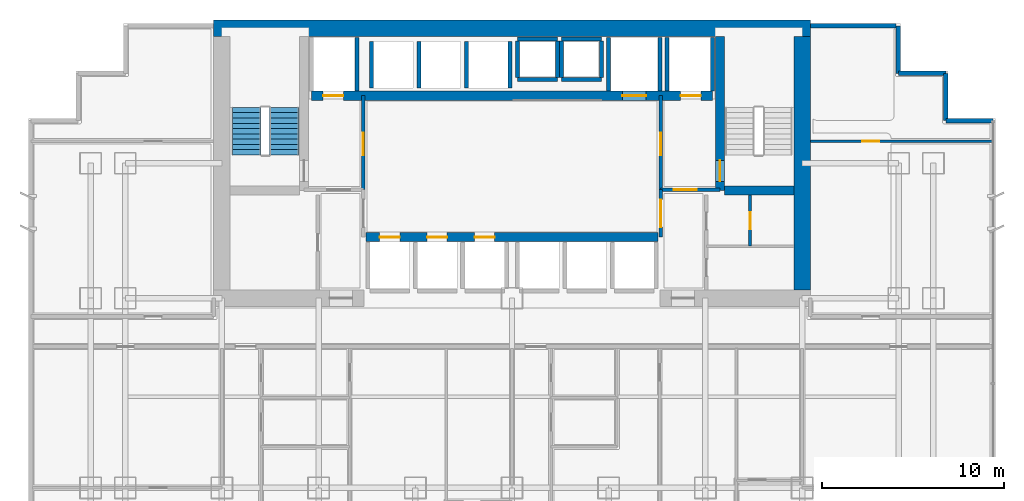
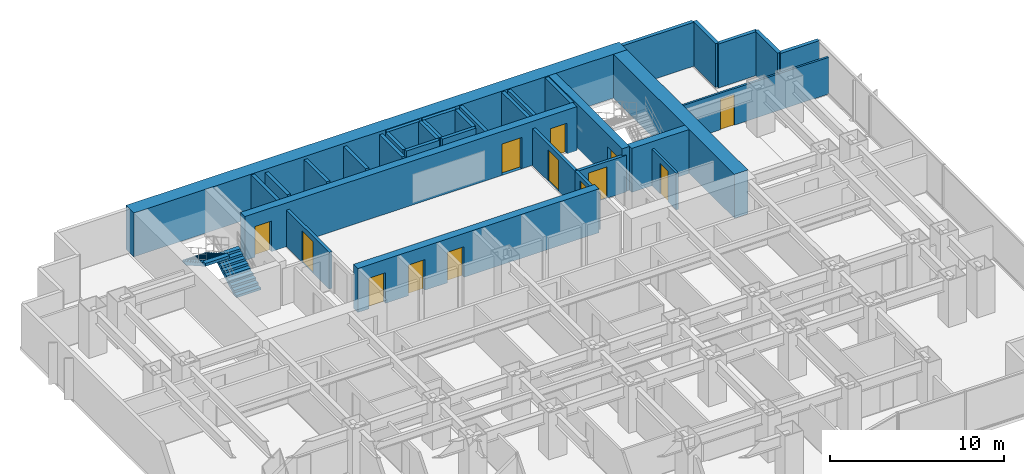
# One storey, part 9 of 12: 34 walls, 13 doors, 2 stair flights, 13 openings, 1 element without a shape of its own.
"""IFC4 building model written with IfcOpenShell, lengths in metres."""

import ifcopenshell
import ifcopenshell.guid

model = None  # the IFC model being written
_history = None  # IfcOwnerHistory: only IFC2X3 demands one
_inside = {}  # id of a spatial element -> (the spatial element, [elements in it])
_under = {}  # id of a project, library or spatial element -> (it, [spatial elements below it])
_declared = {}  # id of a project -> (the project, [libraries it declares])
_typed = {}  # id of a type object -> (the type object, [elements of that type])
_made_of = {}  # id of a material, layer set ... -> (it, [elements and type objects made of it])


def new_model(schema):
    """Start an empty IFC model of exactly this schema.

    Asked for "IFC4X3", IfcOpenShell would pick the latest addendum, in which some entities
    have other attributes; the version numbers below select the first issue.
    IFC2X3 requires an IfcOwnerHistory on every rooted entity: one is made here for all.
    """
    global model, _history
    if schema == "IFC4X3":
        model = ifcopenshell.file(schema_version=(4, 3, 0, 0))
    else:
        model = ifcopenshell.file(schema=schema)
    _inside.clear()
    _under.clear()
    _declared.clear()
    _typed.clear()
    _made_of.clear()
    _history = None
    if model.schema == "IFC2X3":
        org = make("IfcOrganization", Name="unknown")
        user = make(
            "IfcPersonAndOrganization",
            ThePerson=make("IfcPerson", FamilyName="unknown"),
            TheOrganization=org,
        )
        app = make(
            "IfcApplication",
            ApplicationDeveloper=org,
            Version="unknown",
            ApplicationFullName="unknown",
            ApplicationIdentifier="unknown",
        )
        _history = make(
            "IfcOwnerHistory",
            OwningUser=user,
            OwningApplication=app,
            ChangeAction="ADDED",
            CreationDate=0,
        )
    return model


def make(cls, **values):
    """One entity of the class cls with the attributes given. An attribute that is None is left unset."""
    return model.create_entity(
        cls, **{name: value for name, value in values.items() if value is not None}
    )


def rooted(cls, **values):
    """An entity with a GlobalId (a new one), such as an element, a storey or a relation."""
    return make(cls, GlobalId=ifcopenshell.guid.new(), OwnerHistory=_history, **values)


def si_unit(unit_type, name, prefix=None):
    """IfcSIUnit, for example si_unit("LENGTHUNIT", "METRE", prefix="MILLI")."""
    return make("IfcSIUnit", UnitType=unit_type, Prefix=prefix, Name=name)


def assignment(units):
    """IfcUnitAssignment: the units of a project."""
    return None if units is None else make("IfcUnitAssignment", Units=units)


def point(xyz):
    """IfcCartesianPoint."""
    return None if xyz is None else make("IfcCartesianPoint", Coordinates=xyz)


def direction(xyz):
    """IfcDirection."""
    return None if xyz is None else make("IfcDirection", DirectionRatios=xyz)


def frame(location, z_axis=None, x_axis=None):
    """IfcAxis2Placement3D, a coordinate frame: its origin and axes. An axis left out is left unset."""
    return make(
        "IfcAxis2Placement3D",
        Location=point(location),
        Axis=direction(z_axis),
        RefDirection=direction(x_axis),
    )


def frame_2d(location, x_axis=None):
    """IfcAxis2Placement2D, a coordinate frame in the plane: its origin and x axis."""
    return make(
        "IfcAxis2Placement2D", Location=point(location), RefDirection=direction(x_axis)
    )


def origin():
    """The frame at (0, 0, 0) with its axes left unset."""
    return frame((0.0, 0.0, 0.0))


def place(relative_to, where):
    """IfcLocalPlacement: puts the frame where relative to a parent placement (None: the world)."""
    return make(
        "IfcLocalPlacement", PlacementRelTo=relative_to, RelativePlacement=where
    )


def context(
    kind, dimensions, precision=None, world=None, true_north=None, identifier=None
):
    """IfcGeometricRepresentationContext, for example the 3D "Model" context."""
    return make(
        "IfcGeometricRepresentationContext",
        ContextIdentifier=identifier,
        ContextType=kind,
        CoordinateSpaceDimension=dimensions,
        Precision=precision,
        WorldCoordinateSystem=world,
        TrueNorth=true_north,
    )


def subcontext(parent, identifier, kind, view, scale=None):
    """IfcGeometricRepresentationSubContext, for example "Body" below "Model"."""
    return make(
        "IfcGeometricRepresentationSubContext",
        ContextIdentifier=identifier,
        ContextType=kind,
        ParentContext=parent,
        TargetScale=scale,
        TargetView=view,
    )


def project(units=None, contexts=None):
    """IfcProject with its units and contexts."""
    return rooted(
        "IfcProject",
        Name="project",
        RepresentationContexts=contexts,
        UnitsInContext=assignment(units),
    )


def spatial(cls, under=None, at=None, **own):
    """A site, building, storey or space (cls), placed at a placement, below another one or the project."""
    s = rooted(cls, ObjectPlacement=at, **own)
    if under is not None:
        _under.setdefault(under.id(), (under, []))[1].append(s)
    return s


def polyline(points):
    """IfcPolyline through the points."""
    return make("IfcPolyline", Points=[point(p) for p in points])


def profile(cls, at=None, kind="AREA", **sizes):
    """A parametric profile (cls). Its sizes go by their IFC names, for example OverallWidth=200.0."""
    return make(cls, ProfileType=kind, Position=at, **sizes)


def rectangle(**sizes):
    """IfcRectangleProfileDef."""
    return profile("IfcRectangleProfileDef", **sizes)


def outline(outer, holes=None, kind="AREA"):
    """IfcArbitraryClosedProfileDef: a profile drawn as a closed curve; with holes, ...WithVoids."""
    if holes is None:
        return make("IfcArbitraryClosedProfileDef", ProfileType=kind, OuterCurve=outer)
    return make(
        "IfcArbitraryProfileDefWithVoids",
        ProfileType=kind,
        OuterCurve=outer,
        InnerCurves=holes,
    )


def extrude(swept, where, along, depth):
    """IfcExtrudedAreaSolid: the profile swept, set in the frame where, extruded along a direction by depth."""
    return make(
        "IfcExtrudedAreaSolid",
        SweptArea=swept,
        Position=where,
        ExtrudedDirection=direction(along),
        Depth=depth,
    )


def shape(context_of_items, identifier, shape_type, items):
    """IfcShapeRepresentation: the items that make up one representation, for example the "Body"."""
    return make(
        "IfcShapeRepresentation",
        ContextOfItems=context_of_items,
        RepresentationIdentifier=identifier,
        RepresentationType=shape_type,
        Items=items,
    )


def material(Name=None, Category=None):
    """IfcMaterial."""
    return make("IfcMaterial", Name=Name, Category=Category)


def layer(
    of_material, thickness, ventilated=None, Name=None, Category=None, Priority=None
):
    """IfcMaterialLayer: one layer of a wall or slab, of a material (None: an air gap)."""
    return make(
        "IfcMaterialLayer",
        Material=of_material,
        LayerThickness=thickness,
        IsVentilated=ventilated,
        Name=Name,
        Category=Category,
        Priority=Priority,
    )


def layer_set(layers, Name=None):
    """IfcMaterialLayerSet."""
    return make("IfcMaterialLayerSet", MaterialLayers=layers, LayerSetName=Name)


def made_of(thing, what):
    """Note that an element or type object is made of a material, layer set ...; save() writes the relation."""
    if what is not None:
        _made_of.setdefault(what.id(), (what, []))[1].append(thing)
    return thing


def type_object(cls, material=None, **own):
    """A type object (cls), such as IfcWallType, which elements share."""
    return made_of(rooted(cls, **own), material)


def element(
    cls,
    number,
    at=None,
    inside=None,
    cuts=None,
    type_object=None,
    material=None,
    context=None,
    identifier="Body",
    shape_type=None,
    held_by="IfcProductDefinitionShape",
    body=None,
    shapes=None,
    **own,
):
    """One element of the class cls, such as IfcWall. Its Tag is "e" and its number.

    at: its placement. inside: the storey or other place that contains it. cuts: it is an
    opening in that element (IfcRelVoidsElement). A single representation is given by context,
    identifier, shape_type and body (its items); several are given by shapes. held_by: the class
    of the entity that holds the representations. save() writes the other relations.
    """
    e = rooted(cls, Tag="e%d" % number, ObjectPlacement=at, **own)
    if body is not None:
        shapes = [shape(context, identifier, shape_type, body)]
    if shapes is not None:
        e.Representation = make(held_by, Representations=shapes)
    if inside is not None:
        _inside.setdefault(inside.id(), (inside, []))[1].append(e)
    if cuts is not None:
        rooted(
            "IfcRelVoidsElement", RelatingBuildingElement=cuts, RelatedOpeningElement=e
        )
    if type_object is not None:
        _typed.setdefault(type_object.id(), (type_object, []))[1].append(e)
    return made_of(e, material)


def fill(opening, filler):
    """IfcRelFillsElement: the door or window that sits in an opening."""
    return rooted(
        "IfcRelFillsElement",
        RelatingOpeningElement=opening,
        RelatedBuildingElement=filler,
    )


def aggregate(whole, parts):
    """IfcRelAggregates: a whole, such as a stair, and the parts it consists of."""
    return rooted("IfcRelAggregates", RelatingObject=whole, RelatedObjects=parts)


def save(model, path):
    """Write the relations noted so far, then the file.

    IfcRelAggregates (storeys below a building ...), IfcRelContainedInSpatialStructure (elements
    in a storey), IfcRelDefinesByType, IfcRelAssociatesMaterial and IfcRelDeclares: one each for
    every whole, place, type object, material and project.
    """
    for whole, parts in _under.values():
        aggregate(whole, parts)
    for where, things in _inside.values():
        rooted(
            "IfcRelContainedInSpatialStructure",
            RelatedElements=things,
            RelatingStructure=where,
        )
    for kind, things in _typed.values():
        rooted("IfcRelDefinesByType", RelatedObjects=things, RelatingType=kind)
    for what, things in _made_of.values():
        rooted("IfcRelAssociatesMaterial", RelatedObjects=things, RelatingMaterial=what)
    for by, libraries in _declared.values():
        rooted("IfcRelDeclares", RelatingContext=by, RelatedDefinitions=libraries)
    model.write(path)


model = new_model("IFC4")

# Units and contexts
model_context = context("Model", 3, precision=1e-05, world=origin(), true_north=direction((0.0, 1.0)))
body_context = subcontext(model_context, "Body", "Model", "MODEL_VIEW")
ifc_project = project(units=[si_unit("LENGTHUNIT", "METRE"), si_unit("AREAUNIT", "SQUARE_METRE"), si_unit("VOLUMEUNIT", "CUBIC_METRE"), si_unit("PLANEANGLEUNIT", "RADIAN"), si_unit("MASSUNIT", "GRAM", prefix="KILO")], contexts=[model_context])

# Site, building, storey
site_placement = place(None, origin())
site = spatial("IfcSite", under=ifc_project, at=site_placement, CompositionType="ELEMENT")
building_placement = place(site_placement, origin())
building = spatial("IfcBuilding", under=site, at=building_placement, Name="Qianlan Lanfeng Residences", CompositionType="ELEMENT")
storey_placement = place(building_placement, frame((0.0, 0.0, 44.0)))
storey = spatial("IfcBuildingStorey", under=building, at=storey_placement, Name="L11", CompositionType="ELEMENT", Elevation=44.0)

# Wall, opening, door
ifc_material_1 = material(Name="Concrete C70", Category="concrete")
ifc_layer_1 = layer(ifc_material_1, 0.5)
ifc_layer_set_1 = layer_set([ifc_layer_1], Name="Concrete C70")
wall_type_1 = type_object("IfcWallType", Name="CW-RC-500", PredefinedType="SHEAR", material=ifc_layer_set_1)
wall_1_placement = place(storey_placement, frame((37.89990234375, 31.10009765625, 0.0), z_axis=(0.0, 0.0, 1.0), x_axis=(0.0, 1.0, 0.0)))
wall_1 = element("IfcWall", 1, at=wall_1_placement, inside=storey, type_object=wall_type_1, Name="L11 Core Shear Wall ST2W", PredefinedType="SHEAR", context=body_context, shape_type="SweptSolid", body=[
    extrude(rectangle(XDim=8.449951171875, YDim=0.5, at=frame_2d((4.22509765625, 0.0))), origin(), (0.0, 0.0, 1.0), 3.080078125),
])
opening_1_placement = place(wall_1_placement, frame((0.510009765625, 0.0, 0.0)))
opening_1 = element("IfcOpeningElement", 2, at=opening_1_placement, cuts=wall_1, Name="Opening L11-D08", PredefinedType="OPENING", context=body_context, shape_type="SweptSolid", body=[
    extrude(rectangle(XDim=1.14990234375, YDim=2.199951171875, at=frame_2d((0.574951171875, 1.10009765625))), frame((0.0, 0.260009765625, 0.0), z_axis=(0.0, -1.0, 0.0), x_axis=(1.0, 0.0, 0.0)), (0.0, 0.0, 1.0), 0.52001953125),
])
ifc_material_2 = material(Name="Painted Galvanised Steel Fire Door", Category="steel")
door_type_1 = type_object("IfcDoorType", Name="DT-ST1", OperationType="NOTDEFINED", PredefinedType="DOOR", material=ifc_material_2)
door_1_placement = place(opening_1_placement, origin())
door_1 = element("IfcDoor", 3, at=door_1_placement, inside=storey, type_object=door_type_1, Name="L11 Exit Stair ST-2 Door L11-D08 (DT-ST1)", OperationType="SINGLE_SWING_RIGHT", OverallHeight=2.199951171875, OverallWidth=1.14990234375, PredefinedType="DOOR", context=body_context, shape_type="SweptSolid", body=[
    extrude(rectangle(XDim=1.14990234375, YDim=2.199951171875, at=frame_2d((0.574951171875, 1.10009765625))), frame((0.0, 0.02490234375, 0.0), z_axis=(0.0, -1.0, 0.0), x_axis=(1.0, 0.0, 0.0)), (0.0, 0.0, 1.0), 0.050048828125),
])
fill(opening_1, door_1)

# Wall
wall_2_placement = place(storey_placement, frame((38.14990234375, 31.10009765625, 0.0), z_axis=(0.0, 0.0, 1.0), x_axis=(1.0, 0.0, 0.0)))
element("IfcWall", 4, at=wall_2_placement, inside=storey, type_object=wall_type_1, Name="L11 Core Shear Wall ST2S", PredefinedType="SHEAR", context=body_context, shape_type="SweptSolid", body=[
    extrude(rectangle(XDim=3.800048828125, YDim=0.5, at=frame_2d((1.89990234375, 0.0))), origin(), (0.0, 0.0, 1.0), 3.080078125),
])

# Wall, openings, doors
wall_3_placement = place(storey_placement, frame((15.5, 36.300048828125, 0.0), z_axis=(0.0, 0.0, 1.0), x_axis=(1.0, 0.0, 0.0)))
wall_3 = element("IfcWall", 5, at=wall_3_placement, inside=storey, type_object=wall_type_1, Name="L11 Core Shear Wall LBN", PredefinedType="SHEAR", context=body_context, shape_type="SweptSolid", body=[
    extrude(rectangle(XDim=22.0, YDim=0.5, at=frame_2d((11.0, 0.0))), origin(), (0.0, 0.0, 1.0), 3.080078125),
])
opening_2_placement = place(wall_3_placement, frame((0.64990234375, 0.0, 0.0)))
opening_2 = element("IfcOpeningElement", 6, at=opening_2_placement, cuts=wall_3, Name="Opening L11-LD-FFL-1", PredefinedType="OPENING", context=body_context, shape_type="SweptSolid", body=[
    extrude(rectangle(XDim=1.10009765625, YDim=2.14990234375, at=frame_2d((0.550048828125, 1.074951171875))), frame((0.0, 0.260009765625, 0.0), z_axis=(0.0, -1.0, 0.0), x_axis=(1.0, 0.0, 0.0)), (0.0, 0.0, 1.0), 0.52001953125),
])
opening_3_placement = place(wall_3_placement, frame((20.25, 0.0, 0.0)))
opening_3 = element("IfcOpeningElement", 7, at=opening_3_placement, cuts=wall_3, Name="Opening L11-LD-FFL-2", PredefinedType="OPENING", context=body_context, shape_type="SweptSolid", body=[
    extrude(rectangle(XDim=1.10009765625, YDim=2.14990234375, at=frame_2d((0.550048828125, 1.074951171875))), frame((0.0, 0.260009765625, 0.0), z_axis=(0.0, -1.0, 0.0), x_axis=(1.0, 0.0, 0.0)), (0.0, 0.0, 1.0), 0.52001953125),
])
opening_4_placement = place(wall_3_placement, frame((17.050048828125, 0.0, 0.0)))
opening_4 = element("IfcOpeningElement", 8, at=opening_4_placement, cuts=wall_3, Name="Opening L11-LD-SVL-1", PredefinedType="OPENING", context=body_context, shape_type="SweptSolid", body=[
    extrude(rectangle(XDim=1.300048828125, YDim=2.199951171875, at=frame_2d((0.64990234375, 1.10009765625))), frame((0.0, 0.260009765625, 0.0), z_axis=(0.0, -1.0, 0.0), x_axis=(1.0, 0.0, 0.0)), (0.0, 0.0, 1.0), 0.52001953125),
])
ifc_material_3 = material(Name="Brushed Stainless Steel Sliding Lift Door", Category="steel")
door_type_2 = type_object("IfcDoorType", Name="LD-01", OperationType="NOTDEFINED", PredefinedType="DOOR", material=ifc_material_3)
door_2_placement = place(opening_2_placement, frame((1.10009765625, 0.0, 0.0), z_axis=(0.0, 0.0, 1.0), x_axis=(-1.0, 0.0, 0.0)))
door_2 = element("IfcDoor", 9, at=door_2_placement, inside=storey, type_object=door_type_2, Name="L11 Elevator FFL-1 Sliding Landing Door", OperationType="DOUBLE_DOOR_SLIDING", OverallHeight=2.14990234375, OverallWidth=1.10009765625, PredefinedType="DOOR", context=body_context, shape_type="SweptSolid", body=[
    extrude(rectangle(XDim=1.10009765625, YDim=2.14990234375, at=frame_2d((0.550048828125, 1.074951171875))), frame((0.0, 0.02490234375, 0.0), z_axis=(0.0, -1.0, 0.0), x_axis=(1.0, 0.0, 0.0)), (0.0, 0.0, 1.0), 0.050048828125),
])
fill(opening_2, door_2)
door_3_placement = place(opening_3_placement, frame((1.10009765625, 0.0, 0.0), z_axis=(0.0, 0.0, 1.0), x_axis=(-1.0, 0.0, 0.0)))
door_3 = element("IfcDoor", 10, at=door_3_placement, inside=storey, type_object=door_type_2, Name="L11 Elevator FFL-2 Sliding Landing Door", OperationType="DOUBLE_DOOR_SLIDING", OverallHeight=2.14990234375, OverallWidth=1.10009765625, PredefinedType="DOOR", context=body_context, shape_type="SweptSolid", body=[
    extrude(rectangle(XDim=1.10009765625, YDim=2.14990234375, at=frame_2d((0.550048828125, 1.074951171875))), frame((0.0, 0.02490234375, 0.0), z_axis=(0.0, -1.0, 0.0), x_axis=(1.0, 0.0, 0.0)), (0.0, 0.0, 1.0), 0.050048828125),
])
fill(opening_3, door_3)
door_type_3 = type_object("IfcDoorType", Name="LD-02", OperationType="NOTDEFINED", PredefinedType="DOOR", material=ifc_material_3)
door_4_placement = place(opening_4_placement, frame((1.300048828125, 0.0, 0.0), z_axis=(0.0, 0.0, 1.0), x_axis=(-1.0, 0.0, 0.0)))
door_4 = element("IfcDoor", 11, at=door_4_placement, inside=storey, type_object=door_type_3, Name="L11 Elevator SVL-1 Sliding Landing Door", OperationType="DOUBLE_DOOR_SLIDING", OverallHeight=2.199951171875, OverallWidth=1.300048828125, PredefinedType="DOOR", context=body_context, shape_type="SweptSolid", body=[
    extrude(rectangle(XDim=1.300048828125, YDim=2.199951171875, at=frame_2d((0.64990234375, 1.10009765625))), frame((0.0, 0.02490234375, 0.0), z_axis=(0.0, -1.0, 0.0), x_axis=(1.0, 0.0, 0.0)), (0.0, 0.0, 1.0), 0.050048828125),
])
fill(opening_4, door_4)

wall_4_placement = place(storey_placement, frame((18.5, 28.550048828125, 0.0), z_axis=(0.0, 0.0, 1.0), x_axis=(1.0, 0.0, 0.0)))
wall_4 = element("IfcWall", 12, at=wall_4_placement, inside=storey, type_object=wall_type_1, Name="L11 Core Shear Wall LBS", PredefinedType="SHEAR", context=body_context, shape_type="SweptSolid", body=[
    extrude(rectangle(XDim=16.0, YDim=0.5, at=frame_2d((8.0, 0.0))), origin(), (0.0, 0.0, 1.0), 3.080078125),
])
opening_5_placement = place(wall_4_placement, frame((0.75, 0.0, 0.0)))
opening_5 = element("IfcOpeningElement", 13, at=opening_5_placement, cuts=wall_4, Name="Opening L11-LD-PL-L1", PredefinedType="OPENING", context=body_context, shape_type="SweptSolid", body=[
    extrude(rectangle(XDim=1.10009765625, YDim=2.14990234375, at=frame_2d((0.550048828125, 1.074951171875))), frame((0.0, 0.260009765625, 0.0), z_axis=(0.0, -1.0, 0.0), x_axis=(1.0, 0.0, 0.0)), (0.0, 0.0, 1.0), 0.52001953125),
])
opening_6_placement = place(wall_4_placement, frame((3.35009765625, 0.0, 0.0)))
opening_6 = element("IfcOpeningElement", 14, at=opening_6_placement, cuts=wall_4, Name="Opening L11-LD-PL-L2", PredefinedType="OPENING", context=body_context, shape_type="SweptSolid", body=[
    extrude(rectangle(XDim=1.10009765625, YDim=2.14990234375, at=frame_2d((0.550048828125, 1.074951171875))), frame((0.0, 0.260009765625, 0.0), z_axis=(0.0, -1.0, 0.0), x_axis=(1.0, 0.0, 0.0)), (0.0, 0.0, 1.0), 0.52001953125),
])
opening_7_placement = place(wall_4_placement, frame((5.949951171875, 0.0, 0.0)))
opening_7 = element("IfcOpeningElement", 15, at=opening_7_placement, cuts=wall_4, Name="Opening L11-LD-PL-L3", PredefinedType="OPENING", context=body_context, shape_type="SweptSolid", body=[
    extrude(rectangle(XDim=1.10009765625, YDim=2.14990234375, at=frame_2d((0.550048828125, 1.074951171875))), frame((0.0, 0.260009765625, 0.0), z_axis=(0.0, -1.0, 0.0), x_axis=(1.0, 0.0, 0.0)), (0.0, 0.0, 1.0), 0.52001953125),
])
door_5_placement = place(opening_5_placement, origin())
door_5 = element("IfcDoor", 16, at=door_5_placement, inside=storey, type_object=door_type_2, Name="L11 Elevator PL-L1 Sliding Landing Door", OperationType="DOUBLE_DOOR_SLIDING", OverallHeight=2.14990234375, OverallWidth=1.10009765625, PredefinedType="DOOR", context=body_context, shape_type="SweptSolid", body=[
    extrude(rectangle(XDim=1.10009765625, YDim=2.14990234375, at=frame_2d((0.550048828125, 1.074951171875))), frame((0.0, 0.02490234375, 0.0), z_axis=(0.0, -1.0, 0.0), x_axis=(1.0, 0.0, 0.0)), (0.0, 0.0, 1.0), 0.050048828125),
])
fill(opening_5, door_5)
door_6_placement = place(opening_6_placement, origin())
door_6 = element("IfcDoor", 17, at=door_6_placement, inside=storey, type_object=door_type_2, Name="L11 Elevator PL-L2 Sliding Landing Door", OperationType="DOUBLE_DOOR_SLIDING", OverallHeight=2.14990234375, OverallWidth=1.10009765625, PredefinedType="DOOR", context=body_context, shape_type="SweptSolid", body=[
    extrude(rectangle(XDim=1.10009765625, YDim=2.14990234375, at=frame_2d((0.550048828125, 1.074951171875))), frame((0.0, 0.02490234375, 0.0), z_axis=(0.0, -1.0, 0.0), x_axis=(1.0, 0.0, 0.0)), (0.0, 0.0, 1.0), 0.050048828125),
])
fill(opening_6, door_6)
door_7_placement = place(opening_7_placement, origin())
door_7 = element("IfcDoor", 18, at=door_7_placement, inside=storey, type_object=door_type_2, Name="L11 Elevator PL-L3 Sliding Landing Door", OperationType="DOUBLE_DOOR_SLIDING", OverallHeight=2.14990234375, OverallWidth=1.10009765625, PredefinedType="DOOR", context=body_context, shape_type="SweptSolid", body=[
    extrude(rectangle(XDim=1.10009765625, YDim=2.14990234375, at=frame_2d((0.550048828125, 1.074951171875))), frame((0.0, 0.02490234375, 0.0), z_axis=(0.0, -1.0, 0.0), x_axis=(1.0, 0.0, 0.0)), (0.0, 0.0, 1.0), 0.050048828125),
])
fill(opening_7, door_7)

# Walls
ifc_layer_2 = layer(ifc_material_1, 0.89990234375)
ifc_layer_set_2 = layer_set([ifc_layer_2], Name="Concrete C70")
wall_type_2 = type_object("IfcWallType", Name="CW-RC-900", PredefinedType="SHEAR", material=ifc_layer_set_2)
wall_5_placement = place(storey_placement, frame((10.14990234375, 40.0, 0.0), z_axis=(0.0, 0.0, 1.0), x_axis=(1.0, 0.0, 0.0)))
element("IfcWall", 19, at=wall_5_placement, inside=storey, type_object=wall_type_2, Name="L11 Core Shear Wall N", PredefinedType="SHEAR", context=body_context, shape_type="SweptSolid", body=[
    extrude(rectangle(XDim=32.7001953125, YDim=0.89990234375, at=frame_2d((16.35009765625, 0.0))), origin(), (0.0, 0.0, 1.0), 3.080078125),
])
wall_6_placement = place(storey_placement, frame((42.39990234375, 25.64990234375, 0.0), z_axis=(0.0, 0.0, 1.0), x_axis=(0.0, 1.0, 0.0)))
element("IfcWall", 20, at=wall_6_placement, inside=storey, type_object=wall_type_2, Name="L11 Core Shear Wall E", PredefinedType="SHEAR", context=body_context, shape_type="SweptSolid", body=[
    extrude(rectangle(XDim=13.900146484375, YDim=0.89990234375, at=frame_2d((6.9501953125, 0.0))), origin(), (0.0, 0.0, 1.0), 3.080078125),
])
ifc_material_4 = material(Name="Concrete C42", Category="concrete")
ifc_layer_3 = layer(ifc_material_4, 0.239990234375)
ifc_layer_set_3 = layer_set([ifc_layer_3], Name="Concrete C42")
wall_type_3 = type_object("IfcWallType", Name="EW-240", PredefinedType="SOLIDWALL", material=ifc_layer_set_3)
wall_7_placement = place(storey_placement, frame((52.8798828125, 34.929931640625, 0.0), z_axis=(0.0, 0.0, 1.0), x_axis=(-1.0, 0.0, 0.0)))
element("IfcWall", 21, at=wall_7_placement, inside=storey, type_object=wall_type_3, Name="L11 Exterior Facade Spandrel Wall 11", PredefinedType="SOLIDWALL", context=body_context, shape_type="SweptSolid", body=[
    extrude(rectangle(XDim=2.599853515625, YDim=0.239990234375, at=frame_2d((1.2998046875, 0.0))), origin(), (0.0, 0.0, 1.0), 3.080078125),
])
for number, where, z_axis, x_axis, name in (
    (22, (50.280029296875, 34.929931640625, 0.0), (0.0, 0.0, 1.0), (0.0, 1.0, 0.0), "L11 Exterior Facade Spandrel Wall 12"),
    (23, (50.280029296875, 37.530029296875, 0.0), (0.0, 0.0, 1.0), (-1.0, 0.0, 0.0), "L11 Exterior Facade Spandrel Wall 13"),
):
    element("IfcWall", number, at=place(storey_placement, frame(where, z_axis=z_axis, x_axis=x_axis)), inside=storey, type_object=wall_type_3, Name=name, PredefinedType="SOLIDWALL", context=body_context, shape_type="SweptSolid", body=[
        extrude(rectangle(XDim=2.60009765625, YDim=0.239990234375, at=frame_2d((1.300048828125, 0.0))), origin(), (0.0, 0.0, 1.0), 3.080078125),
    ])
wall_8_placement = place(storey_placement, frame((47.679931640625, 37.530029296875, 0.0), z_axis=(0.0, 0.0, 1.0), x_axis=(0.0, 1.0, 0.0)))
element("IfcWall", 24, at=wall_8_placement, inside=storey, type_object=wall_type_3, Name="L11 Exterior Facade Spandrel Wall 14", PredefinedType="SOLIDWALL", context=body_context, shape_type="SweptSolid", body=[
    extrude(rectangle(XDim=2.599853515625, YDim=0.239990234375, at=frame_2d((1.2998046875, 0.0))), origin(), (0.0, 0.0, 1.0), 3.080078125),
])
wall_9_placement = place(storey_placement, frame((47.550048828125, 40.1298828125, 0.0), z_axis=(0.0, 0.0, 1.0), x_axis=(-1.0, 0.0, 0.0)))
element("IfcWall", 25, at=wall_9_placement, inside=storey, type_object=wall_type_3, Name="L11 North Wing Exterior Wall E", PredefinedType="SOLIDWALL", context=body_context, shape_type="SweptSolid", body=[
    extrude(rectangle(XDim=4.699951171875, YDim=0.239990234375, at=frame_2d((2.35009765625, 0.0))), origin(), (0.0, 0.0, 1.0), 3.080078125),
])

# Wall, opening, door
ifc_material_5 = material(Name="Moisture-Resistant Gypsum Partition 135 mm")
ifc_layer_4 = layer(ifc_material_5, 0.135009765625)
ifc_layer_set_4 = layer_set([ifc_layer_4], Name="Moisture-Resistant Gypsum Partition 135 mm")
wall_type_4 = type_object("IfcWallType", Name="PW-135", PredefinedType="PARTITIONING", material=ifc_layer_set_4)
wall_10_placement = place(storey_placement, frame((42.85009765625, 33.800048828125, 0.0), z_axis=(0.0, 0.0, 1.0), x_axis=(1.0, 0.0, 0.0)))
wall_10 = element("IfcWall", 26, at=wall_10_placement, inside=storey, type_object=wall_type_4, Name="L11 EW North Wing Wall", PredefinedType="PARTITIONING", context=body_context, shape_type="SweptSolid", body=[
    extrude(rectangle(XDim=10.02978515625, YDim=0.135009765625, at=frame_2d((5.014892578125, 0.0))), origin(), (0.0, 0.0, 1.0), 2.570068359375),
])
opening_8_placement = place(wall_10_placement, frame((2.85498046875, 0.0, 0.0)))
opening_8 = element("IfcOpeningElement", 27, at=opening_8_placement, cuts=wall_10, Name="Opening L11-D41", PredefinedType="OPENING", context=body_context, shape_type="SweptSolid", body=[
    extrude(rectangle(XDim=0.919921875, YDim=2.14990234375, at=frame_2d((0.4599609375, 1.074951171875))), frame((0.0, 0.07763671875, 0.0), z_axis=(0.0, -1.0, 0.0), x_axis=(1.0, 0.0, 0.0)), (0.0, 0.0, 1.0), 0.155029296875),
])
ifc_material_6 = material(Name="Glazed Timber Kitchen/Study Door", Category="wood")
door_type_4 = type_object("IfcDoorType", Name="DT-INT", OperationType="NOTDEFINED", PredefinedType="DOOR", material=ifc_material_6)
door_8_placement = place(opening_8_placement, origin())
door_8 = element("IfcDoor", 28, at=door_8_placement, inside=storey, type_object=door_type_4, Name="L11 EW Inner Salon Door L11-D41 (DT-INT)", OperationType="SINGLE_SWING_LEFT", OverallHeight=2.14990234375, OverallWidth=0.919921875, PredefinedType="DOOR", context=body_context, shape_type="SweptSolid", body=[
    extrude(rectangle(XDim=0.919921875, YDim=2.14990234375, at=frame_2d((0.4599609375, 1.074951171875))), frame((0.0, 0.02490234375, 0.0), z_axis=(0.0, -1.0, 0.0), x_axis=(1.0, 0.0, 0.0)), (0.0, 0.0, 1.0), 0.050048828125),
])
fill(opening_8, door_8)

ifc_material_7 = material(Name="Acoustic Drywall Partition 150 mm")
ifc_layer_5 = layer(ifc_material_7, 0.14990234375)
ifc_layer_set_5 = layer_set([ifc_layer_5], Name="Acoustic Drywall Partition 150 mm")
wall_type_5 = type_object("IfcWallType", Name="PW-150", PredefinedType="PARTITIONING", material=ifc_layer_set_5)
wall_11_placement = place(storey_placement, frame((39.550048828125, 28.050048828125, 0.0), z_axis=(0.0, 0.0, 1.0), x_axis=(0.0, 1.0, 0.0)))
wall_11 = element("IfcWall", 29, at=wall_11_placement, inside=storey, type_object=wall_type_5, Name="L11 Core East V Split", PredefinedType="PARTITIONING", context=body_context, shape_type="SweptSolid", body=[
    extrude(rectangle(XDim=2.800048828125, YDim=0.14990234375, at=frame_2d((1.39990234375, 0.0))), origin(), (0.0, 0.0, 1.0), 2.570068359375),
])
opening_9_placement = place(wall_11_placement, frame((0.93994140625, 0.0, 0.0)))
opening_9 = element("IfcOpeningElement", 30, at=opening_9_placement, cuts=wall_11, Name="Opening L11-D12", PredefinedType="OPENING", context=body_context, shape_type="SweptSolid", body=[
    extrude(rectangle(XDim=0.919921875, YDim=2.14990234375, at=frame_2d((0.4599609375, 1.074951171875))), frame((0.0, 0.0849609375, 0.0), z_axis=(0.0, -1.0, 0.0), x_axis=(1.0, 0.0, 0.0)), (0.0, 0.0, 1.0), 0.169921875),
])
door_9_placement = place(opening_9_placement, origin())
door_9 = element("IfcDoor", 31, at=door_9_placement, inside=storey, type_object=door_type_4, Name="L11 Inner Supply Closet Door L11-D12 (DT-INT)", OperationType="SINGLE_SWING_RIGHT", OverallHeight=2.14990234375, OverallWidth=0.919921875, PredefinedType="DOOR", context=body_context, shape_type="SweptSolid", body=[
    extrude(rectangle(XDim=0.919921875, YDim=2.14990234375, at=frame_2d((0.4599609375, 1.074951171875))), frame((0.0, 0.02490234375, 0.0), z_axis=(0.0, -1.0, 0.0), x_axis=(1.0, 0.0, 0.0)), (0.0, 0.0, 1.0), 0.050048828125),
])
fill(opening_9, door_9)

ifc_material_8 = material(Name="Autoclaved Aerated Concrete Blockwork 200 mm", Category="masonry")
ifc_layer_6 = layer(ifc_material_8, 0.199951171875)
ifc_layer_set_6 = layer_set([ifc_layer_6], Name="Autoclaved Aerated Concrete Blockwork 200 mm")
wall_type_6 = type_object("IfcWallType", Name="PW-200", PredefinedType="PARTITIONING", material=ifc_layer_set_6)
wall_12_placement = place(storey_placement, frame((18.35009765625, 31.14990234375, 0.0), z_axis=(0.0, 0.0, 1.0), x_axis=(0.0, 1.0, 0.0)))
wall_12 = element("IfcWall", 32, at=wall_12_placement, inside=storey, type_object=wall_type_6, Name="L11 Firefighting Lobby 1 East Wall", PredefinedType="PARTITIONING", context=body_context, shape_type="SweptSolid", body=[
    extrude(rectangle(XDim=5.150146484375, YDim=0.199951171875, at=frame_2d((2.5751953125, 0.0))), origin(), (0.0, 0.0, 1.0), 2.570068359375),
])
opening_10_placement = place(wall_12_placement, frame((1.875, 0.0, 0.0)))
opening_10 = element("IfcOpeningElement", 33, at=opening_10_placement, cuts=wall_12, Name="Opening L11-D04", PredefinedType="OPENING", context=body_context, shape_type="SweptSolid", body=[
    extrude(rectangle(XDim=1.25, YDim=2.199951171875, at=frame_2d((0.625, 1.10009765625))), frame((0.0, 0.10986328125, 0.0), z_axis=(0.0, -1.0, 0.0), x_axis=(1.0, 0.0, 0.0)), (0.0, 0.0, 1.0), 0.219970703125),
])
door_type_5 = type_object("IfcDoorType", Name="DT-FFL", OperationType="NOTDEFINED", PredefinedType="DOOR", material=ifc_material_2)
door_10_placement = place(opening_10_placement, origin())
door_10 = element("IfcDoor", 34, at=door_10_placement, inside=storey, type_object=door_type_5, Name="L11 Firefighting Lobby 1 Lift Lobby Door L11-D04 (DT-FFL)", OperationType="SINGLE_SWING_RIGHT", OverallHeight=2.199951171875, OverallWidth=1.25, PredefinedType="DOOR", context=body_context, shape_type="SweptSolid", body=[
    extrude(rectangle(XDim=1.25, YDim=2.199951171875, at=frame_2d((0.625, 1.10009765625))), frame((0.0, 0.02490234375, 0.0), z_axis=(0.0, -1.0, 0.0), x_axis=(1.0, 0.0, 0.0)), (0.0, 0.0, 1.0), 0.050048828125),
])
fill(opening_10, door_10)

wall_13_placement = place(storey_placement, frame((34.64990234375, 31.14990234375, 0.0), z_axis=(0.0, 0.0, 1.0), x_axis=(1.0, 0.0, 0.0)))
wall_13 = element("IfcWall", 35, at=wall_13_placement, inside=storey, type_object=wall_type_6, Name="L11 Firefighting Lobby 2 South Wall", PredefinedType="PARTITIONING", context=body_context, shape_type="SweptSolid", body=[
    extrude(rectangle(XDim=3.25, YDim=0.199951171875, at=frame_2d((1.625, 0.0))), origin(), (0.0, 0.0, 1.0), 2.570068359375),
])
opening_11_placement = place(wall_13_placement, frame((0.72509765625, 0.0, 0.0)))
opening_11 = element("IfcOpeningElement", 36, at=opening_11_placement, cuts=wall_13, Name="Opening L11-D05", PredefinedType="OPENING", context=body_context, shape_type="SweptSolid", body=[
    extrude(rectangle(XDim=1.25, YDim=2.199951171875, at=frame_2d((0.625, 1.10009765625))), frame((0.0, 0.10986328125, 0.0), z_axis=(0.0, -1.0, 0.0), x_axis=(1.0, 0.0, 0.0)), (0.0, 0.0, 1.0), 0.219970703125),
])
door_11_placement = place(opening_11_placement, origin())
door_11 = element("IfcDoor", 37, at=door_11_placement, inside=storey, type_object=door_type_5, Name="L11 Firefighting Lobby 2 Entry Door L11-D05 (DT-FFL)", OperationType="SINGLE_SWING_RIGHT", OverallHeight=2.199951171875, OverallWidth=1.25, PredefinedType="DOOR", context=body_context, shape_type="SweptSolid", body=[
    extrude(rectangle(XDim=1.25, YDim=2.199951171875, at=frame_2d((0.625, 1.10009765625))), frame((0.0, 0.02490234375, 0.0), z_axis=(0.0, -1.0, 0.0), x_axis=(1.0, 0.0, 0.0)), (0.0, 0.0, 1.0), 0.050048828125),
])
fill(opening_11, door_11)

wall_14_placement = place(storey_placement, frame((34.64990234375, 31.14990234375, 0.0), z_axis=(0.0, 0.0, 1.0), x_axis=(0.0, 1.0, 0.0)))
wall_14 = element("IfcWall", 38, at=wall_14_placement, inside=storey, type_object=wall_type_6, Name="L11 Firefighting Lobby 2 West Wall", PredefinedType="PARTITIONING", context=body_context, shape_type="SweptSolid", body=[
    extrude(rectangle(XDim=5.150146484375, YDim=0.199951171875, at=frame_2d((2.5751953125, 0.0))), origin(), (0.0, 0.0, 1.0), 2.570068359375),
])
opening_12_placement = place(wall_14_placement, frame((1.875, 0.0, 0.0)))
opening_12 = element("IfcOpeningElement", 39, at=opening_12_placement, cuts=wall_14, Name="Opening L11-D06", PredefinedType="OPENING", context=body_context, shape_type="SweptSolid", body=[
    extrude(rectangle(XDim=1.25, YDim=2.199951171875, at=frame_2d((0.625, 1.10009765625))), frame((0.0, 0.10986328125, 0.0), z_axis=(0.0, -1.0, 0.0), x_axis=(1.0, 0.0, 0.0)), (0.0, 0.0, 1.0), 0.219970703125),
])
door_12_placement = place(opening_12_placement, origin())
door_12 = element("IfcDoor", 40, at=door_12_placement, inside=storey, type_object=door_type_5, Name="L11 Firefighting Lobby 2 Lift Lobby Door L11-D06 (DT-FFL)", OperationType="SINGLE_SWING_RIGHT", OverallHeight=2.199951171875, OverallWidth=1.25, PredefinedType="DOOR", context=body_context, shape_type="SweptSolid", body=[
    extrude(rectangle(XDim=1.25, YDim=2.199951171875, at=frame_2d((0.625, 1.10009765625))), frame((0.0, 0.02490234375, 0.0), z_axis=(0.0, -1.0, 0.0), x_axis=(1.0, 0.0, 0.0)), (0.0, 0.0, 1.0), 0.050048828125),
])
fill(opening_12, door_12)

wall_15_placement = place(storey_placement, frame((34.64990234375, 28.550048828125, 0.0), z_axis=(0.0, 0.0, 1.0), x_axis=(0.0, 1.0, 0.0)))
wall_15 = element("IfcWall", 41, at=wall_15_placement, inside=storey, type_object=wall_type_6, Name="L11 Lift Lobby East Connector Wall", PredefinedType="PARTITIONING", context=body_context, shape_type="SweptSolid", body=[
    extrude(rectangle(XDim=2.599853515625, YDim=0.199951171875, at=frame_2d((1.2998046875, 0.0))), origin(), (0.0, 0.0, 1.0), 2.570068359375),
])
opening_13_placement = place(wall_15_placement, frame((0.550048828125, 0.0, 0.0)))
opening_13 = element("IfcOpeningElement", 42, at=opening_13_placement, cuts=wall_15, Name="Opening L11-D14", PredefinedType="OPENING", context=body_context, shape_type="SweptSolid", body=[
    extrude(rectangle(XDim=1.5, YDim=2.25, at=frame_2d((0.75, 1.125))), frame((0.0, 0.10986328125, 0.0), z_axis=(0.0, -1.0, 0.0), x_axis=(1.0, 0.0, 0.0)), (0.0, 0.0, 1.0), 0.219970703125),
])
ifc_material_9 = material(Name="Timber Veneer Acoustic Fire Door", Category="wood")
door_type_6 = type_object("IfcDoorType", Name="DT-COR1", OperationType="NOTDEFINED", PredefinedType="DOOR", material=ifc_material_9)
door_13_placement = place(opening_13_placement, frame((1.5, 0.0, 0.0), z_axis=(0.0, 0.0, 1.0), x_axis=(-1.0, 0.0, 0.0)))
door_13 = element("IfcDoor", 43, at=door_13_placement, inside=storey, type_object=door_type_6, Name="L11 Lift Lobby East Portal Door L11-D14 (DT-COR1)", OperationType="DOUBLE_DOOR_SINGLE_SWING", OverallHeight=2.25, OverallWidth=1.5, PredefinedType="DOOR", context=body_context, shape_type="SweptSolid", body=[
    extrude(rectangle(XDim=1.5, YDim=2.25, at=frame_2d((0.75, 1.125))), frame((0.0, 0.02490234375, 0.0), z_axis=(0.0, -1.0, 0.0), x_axis=(1.0, 0.0, 0.0)), (0.0, 0.0, 1.0), 0.050048828125),
])
fill(opening_13, door_13)

# Walls
ifc_material_10 = material(Name="Concrete C49", Category="concrete")
ifc_layer_7 = layer(ifc_material_10, 0.219970703125)
ifc_layer_set_7 = layer_set([ifc_layer_7], Name="Concrete C49")
wall_type_7 = type_object("IfcWallType", Name="SHW-220", PredefinedType="SOLIDWALL", material=ifc_layer_set_7)
for number, where, z_axis, x_axis, name in (
    (44, (18.0, 36.550048828125, 0.0), (0.0, 0.0, 1.0), (0.0, 1.0, 0.0), "L11 Lift FFL-1 Shaft Wall E"),
    (45, (35.0, 36.550048828125, 0.0), (0.0, 0.0, 1.0), (0.0, 1.0, 0.0), "L11 Lift FFL-2 Shaft Wall W"),
    (46, (37.47998046875, 36.550048828125, 0.0), (0.0, 0.0, 1.0), (0.0, 1.0, 0.0), "L11 Lift FFL-2 Shaft Wall E"),
    (47, (31.800048828125, 36.550048828125, 0.0), (0.0, 0.0, 1.0), (0.0, 1.0, 0.0), "L11 Lift SVL-1 Shaft Wall W"),
    (48, (34.60009765625, 36.550048828125, 0.0), (0.0, 0.0, 1.0), (0.0, 1.0, 0.0), "L11 Lift SVL-1 Shaft Wall E"),
):
    element("IfcWall", number, at=place(storey_placement, frame(where, z_axis=z_axis, x_axis=x_axis)), inside=storey, type_object=wall_type_7, Name=name, PredefinedType="SOLIDWALL", context=body_context, shape_type="SweptSolid", body=[
        extrude(rectangle(XDim=2.929931640625, YDim=0.219970703125, at=frame_2d((1.46484375, 0.0))), origin(), (0.0, 0.0, 1.0), 3.080078125),
    ])
for number, where, z_axis, x_axis, name in (
    (49, (18.800048828125, 36.719970703125, 0.0), (0.0, 0.0, 1.0), (0.0, 1.0, 0.0), "L11 Lift PL-H1 Shaft Wall W"),
    (50, (21.39990234375, 36.719970703125, 0.0), (0.0, 0.0, 1.0), (0.0, 1.0, 0.0), "L11 Lift PL-H2 Shaft Wall W"),
    (51, (24.0, 36.719970703125, 0.0), (0.0, 0.0, 1.0), (0.0, 1.0, 0.0), "L11 Lift PL-H3 Shaft Wall W"),
    (52, (26.39990234375, 36.719970703125, 0.0), (0.0, 0.0, 1.0), (0.0, 1.0, 0.0), "L11 Lift PL-H3 Shaft Wall E"),
):
    element("IfcWall", number, at=place(storey_placement, frame(where, z_axis=z_axis, x_axis=x_axis)), inside=storey, type_object=wall_type_7, Name=name, PredefinedType="SOLIDWALL", context=body_context, shape_type="SweptSolid", body=[
        extrude(rectangle(XDim=2.56005859375, YDim=0.219970703125, at=frame_2d((1.280029296875, 0.0))), origin(), (0.0, 0.0, 1.0), 3.080078125),
    ])
for number, where, z_axis, x_axis, name in (
    (53, (26.800048828125, 37.31005859375, 0.0), (0.0, 0.0, 1.0), (0.0, 1.0, 0.0), "L11 MEP Riser MEP-R1 Shaft Wall W"),
    (54, (29.0, 37.31005859375, 0.0), (0.0, 0.0, 1.0), (0.0, 1.0, 0.0), "L11 MEP Riser MEP-R1 Shaft Wall E"),
):
    element("IfcWall", number, at=place(storey_placement, frame(where, z_axis=z_axis, x_axis=x_axis)), inside=storey, type_object=wall_type_7, Name=name, PredefinedType="SOLIDWALL", context=body_context, shape_type="SweptSolid", body=[
        extrude(rectangle(XDim=1.97998046875, YDim=0.219970703125, at=frame_2d((0.989990234375, 0.0))), origin(), (0.0, 0.0, 1.0), 3.080078125),
    ])
for number, where, z_axis, x_axis, name in (
    (55, (26.800048828125, 39.39990234375, 0.0), (0.0, 0.0, 1.0), (1.0, 0.0, 0.0), "L11 MEP Riser MEP-R1 Shaft Wall N"),
    (56, (26.800048828125, 37.199951171875, 0.0), (0.0, 0.0, 1.0), (1.0, 0.0, 0.0), "L11 MEP Riser MEP-R1 Shaft Wall S"),
):
    element("IfcWall", number, at=place(storey_placement, frame(where, z_axis=z_axis, x_axis=x_axis)), inside=storey, type_object=wall_type_7, Name=name, PredefinedType="SOLIDWALL", context=body_context, shape_type="SweptSolid", body=[
        extrude(rectangle(XDim=2.199951171875, YDim=0.219970703125, at=frame_2d((1.10009765625, 0.0))), origin(), (0.0, 0.0, 1.0), 3.080078125),
    ])
for number, where, z_axis, x_axis, name in (
    (57, (29.199951171875, 37.31005859375, 0.0), (0.0, 0.0, 1.0), (0.0, 1.0, 0.0), "L11 MEP Riser MEP-R2 Shaft Wall W"),
    (58, (31.39990234375, 37.31005859375, 0.0), (0.0, 0.0, 1.0), (0.0, 1.0, 0.0), "L11 MEP Riser MEP-R2 Shaft Wall E"),
):
    element("IfcWall", number, at=place(storey_placement, frame(where, z_axis=z_axis, x_axis=x_axis)), inside=storey, type_object=wall_type_7, Name=name, PredefinedType="SOLIDWALL", context=body_context, shape_type="SweptSolid", body=[
        extrude(rectangle(XDim=1.97998046875, YDim=0.219970703125, at=frame_2d((0.989990234375, 0.0))), origin(), (0.0, 0.0, 1.0), 3.080078125),
    ])
for number, where, z_axis, x_axis, name in (
    (59, (29.199951171875, 39.39990234375, 0.0), (0.0, 0.0, 1.0), (1.0, 0.0, 0.0), "L11 MEP Riser MEP-R2 Shaft Wall N"),
    (60, (29.199951171875, 37.199951171875, 0.0), (0.0, 0.0, 1.0), (1.0, 0.0, 0.0), "L11 MEP Riser MEP-R2 Shaft Wall S"),
):
    element("IfcWall", number, at=place(storey_placement, frame(where, z_axis=z_axis, x_axis=x_axis)), inside=storey, type_object=wall_type_7, Name=name, PredefinedType="SOLIDWALL", context=body_context, shape_type="SweptSolid", body=[
        extrude(rectangle(XDim=2.199951171875, YDim=0.219970703125, at=frame_2d((1.10009765625, 0.0))), origin(), (0.0, 0.0, 1.0), 3.080078125),
    ])

# Stair, stair flights
stair_type = type_object("IfcStairType", Name="STR-MAIN", PredefinedType="HALF_TURN_STAIR", material=ifc_material_4)
stair_placement = place(storey_placement, origin())
stair = element("IfcStair", 61, at=stair_placement, inside=storey, type_object=stair_type, Name="L11 Exit Stair ST-1", PredefinedType="HALF_TURN_STAIR")
stair_flight_type = type_object("IfcStairFlightType", Name="FLT-1720", PredefinedType="STRAIGHT", material=ifc_material_4)
stair_flight_1_placement = place(storey_placement, frame((14.02001953125, 33.050048828125, 0.0), z_axis=(0.0, 0.0, 1.0), x_axis=(0.0, 1.0, 0.0)))
stair_flight_1 = element("IfcStairFlight", 62, at=stair_flight_1_placement, type_object=stair_flight_type, Name="ST-1 flight 1", NumberOfRisers=10, NumberOfTreads=9, PredefinedType="STRAIGHT", RiserHeight=0.165, TreadLength=0.29, context=body_context, shape_type="SweptSolid", body=[
    extrude(outline(polyline([(0.0, 0.0), (0.0, 0.1650390625), (0.2900390625, 0.1650390625), (0.2900390625, 0.330078125), (0.580078125, 0.330078125), (0.580078125, 0.4951171875), (0.8701171875, 0.4951171875), (0.8701171875, 0.659912109375), (1.159912109375, 0.659912109375), (1.159912109375, 0.824951171875), (1.449951171875, 0.824951171875), (1.449951171875, 0.989990234375), (1.739990234375, 0.989990234375), (1.739990234375, 1.155029296875), (2.030029296875, 1.155029296875), (2.030029296875, 1.320068359375), (2.320068359375, 1.320068359375), (2.320068359375, 1.485107421875), (2.610107421875, 1.485107421875), (2.610107421875, 1.64990234375), (2.610107421875, 1.278076171875), (0.36376953125, 0.0), (0.0, 0.0)])), frame((0.0, 0.800048828125, 0.0), z_axis=(0.0, -1.0, 0.0), x_axis=(1.0, 0.0, 0.0)), (0.0, 0.0, 1.0), 1.60009765625),
])
stair_flight_2_placement = place(storey_placement, frame((11.93994140625, 35.659912109375, 1.64990234375), z_axis=(0.0, 0.0, 1.0), x_axis=(0.0, -1.0, 0.0)))
stair_flight_2 = element("IfcStairFlight", 63, at=stair_flight_2_placement, type_object=stair_flight_type, Name="ST-1 flight 2", NumberOfRisers=10, NumberOfTreads=9, PredefinedType="STRAIGHT", RiserHeight=0.165, TreadLength=0.29, context=body_context, shape_type="SweptSolid", body=[
    extrude(outline(polyline([(0.0, 0.0), (0.0, 0.1650390625), (0.2900390625, 0.1650390625), (0.2900390625, 0.330078125), (0.580078125, 0.330078125), (0.580078125, 0.4951171875), (0.8701171875, 0.4951171875), (0.8701171875, 0.659912109375), (1.159912109375, 0.659912109375), (1.159912109375, 0.824951171875), (1.449951171875, 0.824951171875), (1.449951171875, 0.989990234375), (1.739990234375, 0.989990234375), (1.739990234375, 1.155029296875), (2.030029296875, 1.155029296875), (2.030029296875, 1.320068359375), (2.320068359375, 1.320068359375), (2.320068359375, 1.485107421875), (2.610107421875, 1.485107421875), (2.610107421875, 1.64990234375), (2.610107421875, 1.278076171875), (0.36376953125, 0.0), (0.0, 0.0)])), frame((0.0, 0.800048828125, 0.0), z_axis=(0.0, -1.0, 0.0), x_axis=(1.0, 0.0, 0.0)), (0.0, 0.0, 1.0), 1.60009765625),
])
aggregate(stair, [stair_flight_1, stair_flight_2])

save(model, "model.ifc")
